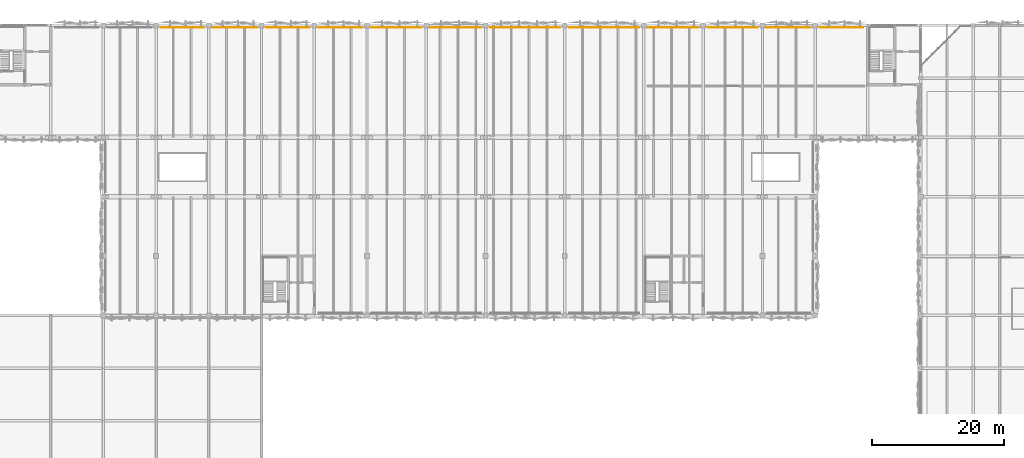
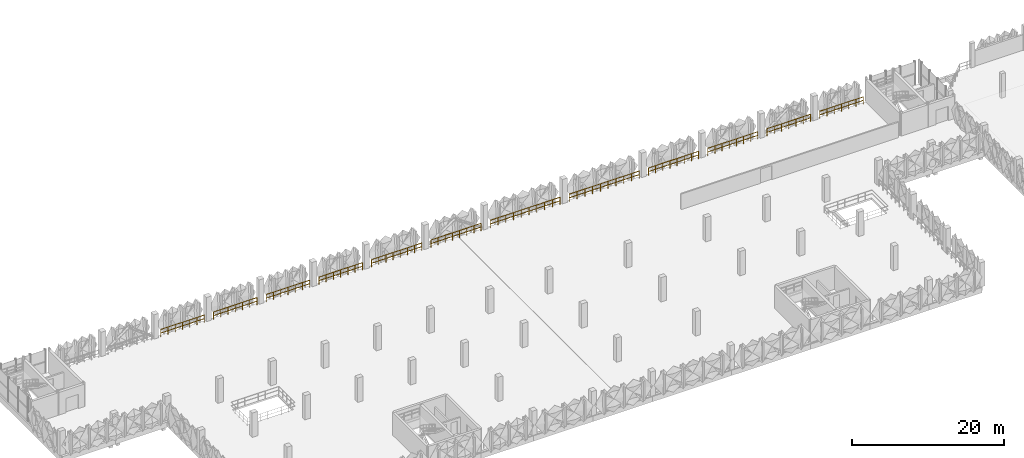
# One storey, part 75 of 76: 12 railings.
"""IFC4 building model written with IfcOpenShell, lengths in metres."""

from ifc_helpers import new_model, si_unit, derived_unit, direction, frame, origin, origin_2d, place, context, subcontext, project, spatial, circle, extrude, material, type_object, element, save


model = new_model("IFC4")

# Units and contexts
model_context = context("Model", 3, precision=1e-05, world=origin(), true_north=direction((0.0, 1.0)))
body_context = subcontext(model_context, "Body", "Model", "MODEL_VIEW")
ifc_project = project(units=[si_unit("LENGTHUNIT", "METRE"), si_unit("AREAUNIT", "SQUARE_METRE"), si_unit("VOLUMEUNIT", "CUBIC_METRE"), si_unit("PLANEANGLEUNIT", "RADIAN"), si_unit("MASSUNIT", "GRAM", prefix="KILO"), si_unit("THERMODYNAMICTEMPERATUREUNIT", "KELVIN"), derived_unit("THERMALTRANSMITTANCEUNIT", [(si_unit("POWERUNIT", "WATT"), 1), (si_unit("AREAUNIT", "SQUARE_METRE"), -1), (si_unit("THERMODYNAMICTEMPERATUREUNIT", "KELVIN"), -1)])], contexts=[model_context])

# Site, building, storey
site_placement = place(None, origin())
site = spatial("IfcSite", under=ifc_project, at=site_placement, CompositionType="ELEMENT")
building_placement = place(site_placement, origin())
building = spatial("IfcBuilding", under=site, at=building_placement, Name="Haiyu Intermodal Mobility Hub", CompositionType="ELEMENT")
storey_placement = place(building_placement, frame((0.0, 0.0, 17.300048828125)))
storey = spatial("IfcBuildingStorey", under=building, at=storey_placement, Name="L04", CompositionType="ELEMENT", Elevation=17.300048828125)

# Railings
ifc_material = material(Name="Steel Q355C", Category="steel")
railing_type = type_object("IfcRailingType", Name="RAL-GR01", PredefinedType="GUARDRAIL", material=ifc_material)
railing_1_placement = place(storey_placement, frame((53.300048828125, 147.659912109375, 0.0)))
element("IfcRailing", 1, at=railing_1_placement, inside=storey, type_object=railing_type, Name="RAL-CAR-N-0023", PredefinedType="GUARDRAIL", context=body_context, shape_type="SweptSolid", body=[
    extrude(circle(Radius=0.02392578125, at=origin_2d()), frame((-0.030029296875, 0.0, 1.17578125), z_axis=(-1.0, 0.0, 0.0), x_axis=(0.0, -1.0, 0.0)), (0.0, 0.0, 1.0), 6.5400390625),
    extrude(circle(Radius=0.02392578125, at=origin_2d()), frame((-0.037353515625, 0.0, 0.60009765625), z_axis=(-1.0, 0.0, 0.0), x_axis=(0.0, -1.0, 0.0)), (0.0, 0.0, 1.0), 1.025390625),
    extrude(circle(Radius=0.02392578125, at=origin_2d()), frame((-1.13720703125, 0.0, 0.60009765625), z_axis=(-1.0, 0.0, 0.0), x_axis=(0.0, -1.0, 0.0)), (0.0, 0.0, 1.0), 1.025390625),
    extrude(circle(Radius=0.02392578125, at=origin_2d()), frame((-2.2373046875, 0.0, 0.60009765625), z_axis=(-1.0, 0.0, 0.0), x_axis=(0.0, -1.0, 0.0)), (0.0, 0.0, 1.0), 1.025390625),
    extrude(circle(Radius=0.02392578125, at=origin_2d()), frame((-3.33740234375, 0.0, 0.60009765625), z_axis=(-1.0, 0.0, 0.0), x_axis=(0.0, -1.0, 0.0)), (0.0, 0.0, 1.0), 1.025390625),
    extrude(circle(Radius=0.02392578125, at=origin_2d()), frame((-4.437255859375, 0.0, 0.60009765625), z_axis=(-1.0, 0.0, 0.0), x_axis=(0.0, -1.0, 0.0)), (0.0, 0.0, 1.0), 1.025390625),
    extrude(circle(Radius=0.02392578125, at=origin_2d()), frame((-5.537353515625, 0.0, 0.60009765625), z_axis=(-1.0, 0.0, 0.0), x_axis=(0.0, -1.0, 0.0)), (0.0, 0.0, 1.0), 1.025390625),
    extrude(circle(Radius=0.02099609375, at=origin_2d()), origin(), (0.0, 0.0, 1.0), 1.143798828125),
    extrude(circle(Radius=0.02099609375, at=origin_2d()), frame((-1.10009765625, 0.0, 0.0)), (0.0, 0.0, 1.0), 1.143798828125),
    extrude(circle(Radius=0.02099609375, at=origin_2d()), frame((-2.199951171875, 0.0, 0.0)), (0.0, 0.0, 1.0), 1.143798828125),
    extrude(circle(Radius=0.02099609375, at=origin_2d()), frame((-3.300048828125, 0.0, 0.0)), (0.0, 0.0, 1.0), 1.143798828125),
    extrude(circle(Radius=0.02099609375, at=origin_2d()), frame((-4.400146484375, 0.0, 0.0)), (0.0, 0.0, 1.0), 1.143798828125),
    extrude(circle(Radius=0.02099609375, at=origin_2d()), frame((-5.5, 0.0, 0.0)), (0.0, 0.0, 1.0), 1.143798828125),
    extrude(circle(Radius=0.02099609375, at=origin_2d()), frame((-6.60009765625, 0.0, 0.0)), (0.0, 0.0, 1.0), 1.143798828125),
])
railing_2_placement = place(storey_placement, frame((61.300048828125, 147.659912109375, 0.0)))
element("IfcRailing", 2, at=railing_2_placement, inside=storey, type_object=railing_type, Name="RAL-CAR-N-0028", PredefinedType="GUARDRAIL", context=body_context, shape_type="SweptSolid", body=[
    extrude(circle(Radius=0.02392578125, at=origin_2d()), frame((-0.030029296875, 0.0, 1.17578125), z_axis=(-1.0, 0.0, 0.0), x_axis=(0.0, -1.0, 0.0)), (0.0, 0.0, 1.0), 6.5400390625),
    extrude(circle(Radius=0.02392578125, at=origin_2d()), frame((-0.037353515625, 0.0, 0.60009765625), z_axis=(-1.0, 0.0, 0.0), x_axis=(0.0, -1.0, 0.0)), (0.0, 0.0, 1.0), 1.025390625),
    extrude(circle(Radius=0.02392578125, at=origin_2d()), frame((-1.13720703125, 0.0, 0.60009765625), z_axis=(-1.0, 0.0, 0.0), x_axis=(0.0, -1.0, 0.0)), (0.0, 0.0, 1.0), 1.025390625),
    extrude(circle(Radius=0.02392578125, at=origin_2d()), frame((-2.2373046875, 0.0, 0.60009765625), z_axis=(-1.0, 0.0, 0.0), x_axis=(0.0, -1.0, 0.0)), (0.0, 0.0, 1.0), 1.025390625),
    extrude(circle(Radius=0.02392578125, at=origin_2d()), frame((-3.33740234375, 0.0, 0.60009765625), z_axis=(-1.0, 0.0, 0.0), x_axis=(0.0, -1.0, 0.0)), (0.0, 0.0, 1.0), 1.025390625),
    extrude(circle(Radius=0.02392578125, at=origin_2d()), frame((-4.437255859375, 0.0, 0.60009765625), z_axis=(-1.0, 0.0, 0.0), x_axis=(0.0, -1.0, 0.0)), (0.0, 0.0, 1.0), 1.025390625),
    extrude(circle(Radius=0.02392578125, at=origin_2d()), frame((-5.537353515625, 0.0, 0.60009765625), z_axis=(-1.0, 0.0, 0.0), x_axis=(0.0, -1.0, 0.0)), (0.0, 0.0, 1.0), 1.025390625),
    extrude(circle(Radius=0.02099609375, at=origin_2d()), origin(), (0.0, 0.0, 1.0), 1.143798828125),
    extrude(circle(Radius=0.02099609375, at=origin_2d()), frame((-1.10009765625, 0.0, 0.0)), (0.0, 0.0, 1.0), 1.143798828125),
    extrude(circle(Radius=0.02099609375, at=origin_2d()), frame((-2.199951171875, 0.0, 0.0)), (0.0, 0.0, 1.0), 1.143798828125),
    extrude(circle(Radius=0.02099609375, at=origin_2d()), frame((-3.300048828125, 0.0, 0.0)), (0.0, 0.0, 1.0), 1.143798828125),
    extrude(circle(Radius=0.02099609375, at=origin_2d()), frame((-4.400146484375, 0.0, 0.0)), (0.0, 0.0, 1.0), 1.143798828125),
    extrude(circle(Radius=0.02099609375, at=origin_2d()), frame((-5.5, 0.0, 0.0)), (0.0, 0.0, 1.0), 1.143798828125),
    extrude(circle(Radius=0.02099609375, at=origin_2d()), frame((-6.60009765625, 0.0, 0.0)), (0.0, 0.0, 1.0), 1.143798828125),
])
railing_3_placement = place(storey_placement, frame((69.300048828125, 147.659912109375, 0.0)))
element("IfcRailing", 3, at=railing_3_placement, inside=storey, type_object=railing_type, Name="RAL-CAR-N-0033", PredefinedType="GUARDRAIL", context=body_context, shape_type="SweptSolid", body=[
    extrude(circle(Radius=0.02392578125, at=origin_2d()), frame((-0.030029296875, 0.0, 1.17578125), z_axis=(-1.0, 0.0, 0.0), x_axis=(0.0, -1.0, 0.0)), (0.0, 0.0, 1.0), 6.5400390625),
    extrude(circle(Radius=0.02392578125, at=origin_2d()), frame((-0.037353515625, 0.0, 0.60009765625), z_axis=(-1.0, 0.0, 0.0), x_axis=(0.0, -1.0, 0.0)), (0.0, 0.0, 1.0), 1.025390625),
    extrude(circle(Radius=0.02392578125, at=origin_2d()), frame((-1.13720703125, 0.0, 0.60009765625), z_axis=(-1.0, 0.0, 0.0), x_axis=(0.0, -1.0, 0.0)), (0.0, 0.0, 1.0), 1.025390625),
    extrude(circle(Radius=0.02392578125, at=origin_2d()), frame((-2.2373046875, 0.0, 0.60009765625), z_axis=(-1.0, 0.0, 0.0), x_axis=(0.0, -1.0, 0.0)), (0.0, 0.0, 1.0), 1.025390625),
    extrude(circle(Radius=0.02392578125, at=origin_2d()), frame((-3.33740234375, 0.0, 0.60009765625), z_axis=(-1.0, 0.0, 0.0), x_axis=(0.0, -1.0, 0.0)), (0.0, 0.0, 1.0), 1.025390625),
    extrude(circle(Radius=0.02392578125, at=origin_2d()), frame((-4.437255859375, 0.0, 0.60009765625), z_axis=(-1.0, 0.0, 0.0), x_axis=(0.0, -1.0, 0.0)), (0.0, 0.0, 1.0), 1.025390625),
    extrude(circle(Radius=0.02392578125, at=origin_2d()), frame((-5.537353515625, 0.0, 0.60009765625), z_axis=(-1.0, 0.0, 0.0), x_axis=(0.0, -1.0, 0.0)), (0.0, 0.0, 1.0), 1.025390625),
    extrude(circle(Radius=0.02099609375, at=origin_2d()), origin(), (0.0, 0.0, 1.0), 1.143798828125),
    extrude(circle(Radius=0.02099609375, at=origin_2d()), frame((-1.10009765625, 0.0, 0.0)), (0.0, 0.0, 1.0), 1.143798828125),
    extrude(circle(Radius=0.02099609375, at=origin_2d()), frame((-2.199951171875, 0.0, 0.0)), (0.0, 0.0, 1.0), 1.143798828125),
    extrude(circle(Radius=0.02099609375, at=origin_2d()), frame((-3.300048828125, 0.0, 0.0)), (0.0, 0.0, 1.0), 1.143798828125),
    extrude(circle(Radius=0.02099609375, at=origin_2d()), frame((-4.400146484375, 0.0, 0.0)), (0.0, 0.0, 1.0), 1.143798828125),
    extrude(circle(Radius=0.02099609375, at=origin_2d()), frame((-5.5, 0.0, 0.0)), (0.0, 0.0, 1.0), 1.143798828125),
    extrude(circle(Radius=0.02099609375, at=origin_2d()), frame((-6.60009765625, 0.0, 0.0)), (0.0, 0.0, 1.0), 1.143798828125),
])
railing_4_placement = place(storey_placement, frame((77.300048828125, 147.659912109375, 0.0)))
element("IfcRailing", 4, at=railing_4_placement, inside=storey, type_object=railing_type, Name="RAL-CAR-N-0039", PredefinedType="GUARDRAIL", context=body_context, shape_type="SweptSolid", body=[
    extrude(circle(Radius=0.02392578125, at=origin_2d()), frame((-0.030029296875, 0.0, 1.17578125), z_axis=(-1.0, 0.0, 0.0), x_axis=(0.0, -1.0, 0.0)), (0.0, 0.0, 1.0), 6.5400390625),
    extrude(circle(Radius=0.02392578125, at=origin_2d()), frame((-0.037353515625, 0.0, 0.60009765625), z_axis=(-1.0, 0.0, 0.0), x_axis=(0.0, -1.0, 0.0)), (0.0, 0.0, 1.0), 1.025390625),
    extrude(circle(Radius=0.02392578125, at=origin_2d()), frame((-1.13720703125, 0.0, 0.60009765625), z_axis=(-1.0, 0.0, 0.0), x_axis=(0.0, -1.0, 0.0)), (0.0, 0.0, 1.0), 1.025390625),
    extrude(circle(Radius=0.02392578125, at=origin_2d()), frame((-2.2373046875, 0.0, 0.60009765625), z_axis=(-1.0, 0.0, 0.0), x_axis=(0.0, -1.0, 0.0)), (0.0, 0.0, 1.0), 1.025390625),
    extrude(circle(Radius=0.02392578125, at=origin_2d()), frame((-3.33740234375, 0.0, 0.60009765625), z_axis=(-1.0, 0.0, 0.0), x_axis=(0.0, -1.0, 0.0)), (0.0, 0.0, 1.0), 1.025390625),
    extrude(circle(Radius=0.02392578125, at=origin_2d()), frame((-4.437255859375, 0.0, 0.60009765625), z_axis=(-1.0, 0.0, 0.0), x_axis=(0.0, -1.0, 0.0)), (0.0, 0.0, 1.0), 1.025390625),
    extrude(circle(Radius=0.02392578125, at=origin_2d()), frame((-5.537353515625, 0.0, 0.60009765625), z_axis=(-1.0, 0.0, 0.0), x_axis=(0.0, -1.0, 0.0)), (0.0, 0.0, 1.0), 1.025390625),
    extrude(circle(Radius=0.02099609375, at=origin_2d()), origin(), (0.0, 0.0, 1.0), 1.143798828125),
    extrude(circle(Radius=0.02099609375, at=origin_2d()), frame((-1.10009765625, 0.0, 0.0)), (0.0, 0.0, 1.0), 1.143798828125),
    extrude(circle(Radius=0.02099609375, at=origin_2d()), frame((-2.199951171875, 0.0, 0.0)), (0.0, 0.0, 1.0), 1.143798828125),
    extrude(circle(Radius=0.02099609375, at=origin_2d()), frame((-3.300048828125, 0.0, 0.0)), (0.0, 0.0, 1.0), 1.143798828125),
    extrude(circle(Radius=0.02099609375, at=origin_2d()), frame((-4.400146484375, 0.0, 0.0)), (0.0, 0.0, 1.0), 1.143798828125),
    extrude(circle(Radius=0.02099609375, at=origin_2d()), frame((-5.5, 0.0, 0.0)), (0.0, 0.0, 1.0), 1.143798828125),
    extrude(circle(Radius=0.02099609375, at=origin_2d()), frame((-6.60009765625, 0.0, 0.0)), (0.0, 0.0, 1.0), 1.143798828125),
])
railing_5_placement = place(storey_placement, frame((86.300048828125, 147.659912109375, 0.0)))
element("IfcRailing", 5, at=railing_5_placement, inside=storey, type_object=railing_type, Name="RAL-CAR-N-0044", PredefinedType="GUARDRAIL", context=body_context, shape_type="SweptSolid", body=[
    extrude(circle(Radius=0.02392578125, at=origin_2d()), frame((-0.030029296875, 0.0, 1.17578125), z_axis=(-1.0, 0.0, 0.0), x_axis=(0.0, -1.0, 0.0)), (0.0, 0.0, 1.0), 7.5400390625),
    extrude(circle(Radius=0.02392578125, at=origin_2d()), frame((-0.037353515625, 0.0, 0.60009765625), z_axis=(-1.0, 0.0, 0.0), x_axis=(0.0, -1.0, 0.0)), (0.0, 0.0, 1.0), 1.01123046875),
    extrude(circle(Radius=0.02392578125, at=origin_2d()), frame((-1.123046875, 0.0, 0.60009765625), z_axis=(-1.0, 0.0, 0.0), x_axis=(0.0, -1.0, 0.0)), (0.0, 0.0, 1.0), 1.01123046875),
    extrude(circle(Radius=0.02392578125, at=origin_2d()), frame((-2.208740234375, 0.0, 0.60009765625), z_axis=(-1.0, 0.0, 0.0), x_axis=(0.0, -1.0, 0.0)), (0.0, 0.0, 1.0), 1.01123046875),
    extrude(circle(Radius=0.02392578125, at=origin_2d()), frame((-3.29443359375, 0.0, 0.60009765625), z_axis=(-1.0, 0.0, 0.0), x_axis=(0.0, -1.0, 0.0)), (0.0, 0.0, 1.0), 1.01123046875),
    extrude(circle(Radius=0.02392578125, at=origin_2d()), frame((-4.380126953125, 0.0, 0.60009765625), z_axis=(-1.0, 0.0, 0.0), x_axis=(0.0, -1.0, 0.0)), (0.0, 0.0, 1.0), 1.01123046875),
    extrude(circle(Radius=0.02392578125, at=origin_2d()), frame((-5.4658203125, 0.0, 0.60009765625), z_axis=(-1.0, 0.0, 0.0), x_axis=(0.0, -1.0, 0.0)), (0.0, 0.0, 1.0), 1.01123046875),
    extrude(circle(Radius=0.02392578125, at=origin_2d()), frame((-6.5517578125, 0.0, 0.60009765625), z_axis=(-1.0, 0.0, 0.0), x_axis=(0.0, -1.0, 0.0)), (0.0, 0.0, 1.0), 1.01123046875),
    extrude(circle(Radius=0.02099609375, at=origin_2d()), origin(), (0.0, 0.0, 1.0), 1.143798828125),
    extrude(circle(Radius=0.02099609375, at=origin_2d()), frame((-1.085693359375, 0.0, 0.0)), (0.0, 0.0, 1.0), 1.143798828125),
    extrude(circle(Radius=0.02099609375, at=origin_2d()), frame((-2.17138671875, 0.0, 0.0)), (0.0, 0.0, 1.0), 1.143798828125),
    extrude(circle(Radius=0.02099609375, at=origin_2d()), frame((-3.257080078125, 0.0, 0.0)), (0.0, 0.0, 1.0), 1.143798828125),
    extrude(circle(Radius=0.02099609375, at=origin_2d()), frame((-4.343017578125, 0.0, 0.0)), (0.0, 0.0, 1.0), 1.143798828125),
    extrude(circle(Radius=0.02099609375, at=origin_2d()), frame((-5.4287109375, 0.0, 0.0)), (0.0, 0.0, 1.0), 1.143798828125),
    extrude(circle(Radius=0.02099609375, at=origin_2d()), frame((-6.514404296875, 0.0, 0.0)), (0.0, 0.0, 1.0), 1.143798828125),
    extrude(circle(Radius=0.02099609375, at=origin_2d()), frame((-7.60009765625, 0.0, 0.0)), (0.0, 0.0, 1.0), 1.143798828125),
])
railing_6_placement = place(storey_placement, frame((95.300048828125, 147.659912109375, 0.0)))
element("IfcRailing", 6, at=railing_6_placement, inside=storey, type_object=railing_type, Name="RAL-CAR-N-0049", PredefinedType="GUARDRAIL", context=body_context, shape_type="SweptSolid", body=[
    extrude(circle(Radius=0.02392578125, at=origin_2d()), frame((-0.030029296875, 0.0, 1.17578125), z_axis=(-1.0, 0.0, 0.0), x_axis=(0.0, -1.0, 0.0)), (0.0, 0.0, 1.0), 7.5400390625),
    extrude(circle(Radius=0.02392578125, at=origin_2d()), frame((-0.037353515625, 0.0, 0.60009765625), z_axis=(-1.0, 0.0, 0.0), x_axis=(0.0, -1.0, 0.0)), (0.0, 0.0, 1.0), 1.01123046875),
    extrude(circle(Radius=0.02392578125, at=origin_2d()), frame((-1.123046875, 0.0, 0.60009765625), z_axis=(-1.0, 0.0, 0.0), x_axis=(0.0, -1.0, 0.0)), (0.0, 0.0, 1.0), 1.01123046875),
    extrude(circle(Radius=0.02392578125, at=origin_2d()), frame((-2.208740234375, 0.0, 0.60009765625), z_axis=(-1.0, 0.0, 0.0), x_axis=(0.0, -1.0, 0.0)), (0.0, 0.0, 1.0), 1.01123046875),
    extrude(circle(Radius=0.02392578125, at=origin_2d()), frame((-3.29443359375, 0.0, 0.60009765625), z_axis=(-1.0, 0.0, 0.0), x_axis=(0.0, -1.0, 0.0)), (0.0, 0.0, 1.0), 1.01123046875),
    extrude(circle(Radius=0.02392578125, at=origin_2d()), frame((-4.380126953125, 0.0, 0.60009765625), z_axis=(-1.0, 0.0, 0.0), x_axis=(0.0, -1.0, 0.0)), (0.0, 0.0, 1.0), 1.01123046875),
    extrude(circle(Radius=0.02392578125, at=origin_2d()), frame((-5.4658203125, 0.0, 0.60009765625), z_axis=(-1.0, 0.0, 0.0), x_axis=(0.0, -1.0, 0.0)), (0.0, 0.0, 1.0), 1.01123046875),
    extrude(circle(Radius=0.02392578125, at=origin_2d()), frame((-6.5517578125, 0.0, 0.60009765625), z_axis=(-1.0, 0.0, 0.0), x_axis=(0.0, -1.0, 0.0)), (0.0, 0.0, 1.0), 1.01123046875),
    extrude(circle(Radius=0.02099609375, at=origin_2d()), origin(), (0.0, 0.0, 1.0), 1.143798828125),
    extrude(circle(Radius=0.02099609375, at=origin_2d()), frame((-1.085693359375, 0.0, 0.0)), (0.0, 0.0, 1.0), 1.143798828125),
    extrude(circle(Radius=0.02099609375, at=origin_2d()), frame((-2.17138671875, 0.0, 0.0)), (0.0, 0.0, 1.0), 1.143798828125),
    extrude(circle(Radius=0.02099609375, at=origin_2d()), frame((-3.257080078125, 0.0, 0.0)), (0.0, 0.0, 1.0), 1.143798828125),
    extrude(circle(Radius=0.02099609375, at=origin_2d()), frame((-4.343017578125, 0.0, 0.0)), (0.0, 0.0, 1.0), 1.143798828125),
    extrude(circle(Radius=0.02099609375, at=origin_2d()), frame((-5.4287109375, 0.0, 0.0)), (0.0, 0.0, 1.0), 1.143798828125),
    extrude(circle(Radius=0.02099609375, at=origin_2d()), frame((-6.514404296875, 0.0, 0.0)), (0.0, 0.0, 1.0), 1.143798828125),
    extrude(circle(Radius=0.02099609375, at=origin_2d()), frame((-7.60009765625, 0.0, 0.0)), (0.0, 0.0, 1.0), 1.143798828125),
])
railing_7_placement = place(storey_placement, frame((107.300048828125, 147.659912109375, 0.0)))
element("IfcRailing", 7, at=railing_7_placement, inside=storey, type_object=railing_type, Name="RAL-CAR-N-0054", PredefinedType="GUARDRAIL", context=body_context, shape_type="SweptSolid", body=[
    extrude(circle(Radius=0.02392578125, at=origin_2d()), frame((-0.030029296875, 0.0, 1.17578125), z_axis=(-1.0, 0.0, 0.0), x_axis=(0.0, -1.0, 0.0)), (0.0, 0.0, 1.0), 10.5400390625),
    extrude(circle(Radius=0.02392578125, at=origin_2d()), frame((-0.037353515625, 0.0, 0.60009765625), z_axis=(-1.0, 0.0, 0.0), x_axis=(0.0, -1.0, 0.0)), (0.0, 0.0, 1.0), 1.103271484375),
    extrude(circle(Radius=0.02392578125, at=origin_2d()), frame((-1.215087890625, 0.0, 0.60009765625), z_axis=(-1.0, 0.0, 0.0), x_axis=(0.0, -1.0, 0.0)), (0.0, 0.0, 1.0), 1.103271484375),
    extrude(circle(Radius=0.02392578125, at=origin_2d()), frame((-2.392822265625, 0.0, 0.60009765625), z_axis=(-1.0, 0.0, 0.0), x_axis=(0.0, -1.0, 0.0)), (0.0, 0.0, 1.0), 1.103271484375),
    extrude(circle(Radius=0.02392578125, at=origin_2d()), frame((-3.570556640625, 0.0, 0.60009765625), z_axis=(-1.0, 0.0, 0.0), x_axis=(0.0, -1.0, 0.0)), (0.0, 0.0, 1.0), 1.103271484375),
    extrude(circle(Radius=0.02392578125, at=origin_2d()), frame((-4.74853515625, 0.0, 0.60009765625), z_axis=(-1.0, 0.0, 0.0), x_axis=(0.0, -1.0, 0.0)), (0.0, 0.0, 1.0), 1.103271484375),
    extrude(circle(Radius=0.02392578125, at=origin_2d()), frame((-5.92626953125, 0.0, 0.60009765625), z_axis=(-1.0, 0.0, 0.0), x_axis=(0.0, -1.0, 0.0)), (0.0, 0.0, 1.0), 1.103271484375),
    extrude(circle(Radius=0.02392578125, at=origin_2d()), frame((-7.10400390625, 0.0, 0.60009765625), z_axis=(-1.0, 0.0, 0.0), x_axis=(0.0, -1.0, 0.0)), (0.0, 0.0, 1.0), 1.103271484375),
    extrude(circle(Radius=0.02392578125, at=origin_2d()), frame((-8.28173828125, 0.0, 0.60009765625), z_axis=(-1.0, 0.0, 0.0), x_axis=(0.0, -1.0, 0.0)), (0.0, 0.0, 1.0), 1.103271484375),
    extrude(circle(Radius=0.02392578125, at=origin_2d()), frame((-9.459716796875, 0.0, 0.60009765625), z_axis=(-1.0, 0.0, 0.0), x_axis=(0.0, -1.0, 0.0)), (0.0, 0.0, 1.0), 1.103271484375),
    extrude(circle(Radius=0.02099609375, at=origin_2d()), origin(), (0.0, 0.0, 1.0), 1.143798828125),
    extrude(circle(Radius=0.02099609375, at=origin_2d()), frame((-1.177734375, 0.0, 0.0)), (0.0, 0.0, 1.0), 1.143798828125),
    extrude(circle(Radius=0.02099609375, at=origin_2d()), frame((-2.35546875, 0.0, 0.0)), (0.0, 0.0, 1.0), 1.143798828125),
    extrude(circle(Radius=0.02099609375, at=origin_2d()), frame((-3.533447265625, 0.0, 0.0)), (0.0, 0.0, 1.0), 1.143798828125),
    extrude(circle(Radius=0.02099609375, at=origin_2d()), frame((-4.711181640625, 0.0, 0.0)), (0.0, 0.0, 1.0), 1.143798828125),
    extrude(circle(Radius=0.02099609375, at=origin_2d()), frame((-5.888916015625, 0.0, 0.0)), (0.0, 0.0, 1.0), 1.143798828125),
    extrude(circle(Radius=0.02099609375, at=origin_2d()), frame((-7.066650390625, 0.0, 0.0)), (0.0, 0.0, 1.0), 1.143798828125),
    extrude(circle(Radius=0.02099609375, at=origin_2d()), frame((-8.24462890625, 0.0, 0.0)), (0.0, 0.0, 1.0), 1.143798828125),
    extrude(circle(Radius=0.02099609375, at=origin_2d()), frame((-9.42236328125, 0.0, 0.0)), (0.0, 0.0, 1.0), 1.143798828125),
    extrude(circle(Radius=0.02099609375, at=origin_2d()), frame((-10.60009765625, 0.0, 0.0)), (0.0, 0.0, 1.0), 1.143798828125),
])
railing_8_placement = place(storey_placement, frame((119.300048828125, 147.659912109375, 0.0)))
element("IfcRailing", 8, at=railing_8_placement, inside=storey, type_object=railing_type, Name="RAL-CAR-N-0059", PredefinedType="GUARDRAIL", context=body_context, shape_type="SweptSolid", body=[
    extrude(circle(Radius=0.02392578125, at=origin_2d()), frame((-0.030029296875, 0.0, 1.17578125), z_axis=(-1.0, 0.0, 0.0), x_axis=(0.0, -1.0, 0.0)), (0.0, 0.0, 1.0), 10.5400390625),
    extrude(circle(Radius=0.02392578125, at=origin_2d()), frame((-0.037353515625, 0.0, 0.60009765625), z_axis=(-1.0, 0.0, 0.0), x_axis=(0.0, -1.0, 0.0)), (0.0, 0.0, 1.0), 1.103271484375),
    extrude(circle(Radius=0.02392578125, at=origin_2d()), frame((-1.215087890625, 0.0, 0.60009765625), z_axis=(-1.0, 0.0, 0.0), x_axis=(0.0, -1.0, 0.0)), (0.0, 0.0, 1.0), 1.103271484375),
    extrude(circle(Radius=0.02392578125, at=origin_2d()), frame((-2.392822265625, 0.0, 0.60009765625), z_axis=(-1.0, 0.0, 0.0), x_axis=(0.0, -1.0, 0.0)), (0.0, 0.0, 1.0), 1.103271484375),
    extrude(circle(Radius=0.02392578125, at=origin_2d()), frame((-3.570556640625, 0.0, 0.60009765625), z_axis=(-1.0, 0.0, 0.0), x_axis=(0.0, -1.0, 0.0)), (0.0, 0.0, 1.0), 1.103271484375),
    extrude(circle(Radius=0.02392578125, at=origin_2d()), frame((-4.74853515625, 0.0, 0.60009765625), z_axis=(-1.0, 0.0, 0.0), x_axis=(0.0, -1.0, 0.0)), (0.0, 0.0, 1.0), 1.103271484375),
    extrude(circle(Radius=0.02392578125, at=origin_2d()), frame((-5.92626953125, 0.0, 0.60009765625), z_axis=(-1.0, 0.0, 0.0), x_axis=(0.0, -1.0, 0.0)), (0.0, 0.0, 1.0), 1.103271484375),
    extrude(circle(Radius=0.02392578125, at=origin_2d()), frame((-7.10400390625, 0.0, 0.60009765625), z_axis=(-1.0, 0.0, 0.0), x_axis=(0.0, -1.0, 0.0)), (0.0, 0.0, 1.0), 1.103271484375),
    extrude(circle(Radius=0.02392578125, at=origin_2d()), frame((-8.28173828125, 0.0, 0.60009765625), z_axis=(-1.0, 0.0, 0.0), x_axis=(0.0, -1.0, 0.0)), (0.0, 0.0, 1.0), 1.103271484375),
    extrude(circle(Radius=0.02392578125, at=origin_2d()), frame((-9.459716796875, 0.0, 0.60009765625), z_axis=(-1.0, 0.0, 0.0), x_axis=(0.0, -1.0, 0.0)), (0.0, 0.0, 1.0), 1.103271484375),
    extrude(circle(Radius=0.02099609375, at=origin_2d()), origin(), (0.0, 0.0, 1.0), 1.143798828125),
    extrude(circle(Radius=0.02099609375, at=origin_2d()), frame((-1.177734375, 0.0, 0.0)), (0.0, 0.0, 1.0), 1.143798828125),
    extrude(circle(Radius=0.02099609375, at=origin_2d()), frame((-2.35546875, 0.0, 0.0)), (0.0, 0.0, 1.0), 1.143798828125),
    extrude(circle(Radius=0.02099609375, at=origin_2d()), frame((-3.533447265625, 0.0, 0.0)), (0.0, 0.0, 1.0), 1.143798828125),
    extrude(circle(Radius=0.02099609375, at=origin_2d()), frame((-4.711181640625, 0.0, 0.0)), (0.0, 0.0, 1.0), 1.143798828125),
    extrude(circle(Radius=0.02099609375, at=origin_2d()), frame((-5.888916015625, 0.0, 0.0)), (0.0, 0.0, 1.0), 1.143798828125),
    extrude(circle(Radius=0.02099609375, at=origin_2d()), frame((-7.066650390625, 0.0, 0.0)), (0.0, 0.0, 1.0), 1.143798828125),
    extrude(circle(Radius=0.02099609375, at=origin_2d()), frame((-8.24462890625, 0.0, 0.0)), (0.0, 0.0, 1.0), 1.143798828125),
    extrude(circle(Radius=0.02099609375, at=origin_2d()), frame((-9.42236328125, 0.0, 0.0)), (0.0, 0.0, 1.0), 1.143798828125),
    extrude(circle(Radius=0.02099609375, at=origin_2d()), frame((-10.60009765625, 0.0, 0.0)), (0.0, 0.0, 1.0), 1.143798828125),
])
railing_9_placement = place(storey_placement, frame((128.300048828125, 147.659912109375, 0.0)))
element("IfcRailing", 9, at=railing_9_placement, inside=storey, type_object=railing_type, Name="RAL-CAR-N-0064", PredefinedType="GUARDRAIL", context=body_context, shape_type="SweptSolid", body=[
    extrude(circle(Radius=0.02392578125, at=origin_2d()), frame((-0.030029296875, 0.0, 1.17578125), z_axis=(-1.0, 0.0, 0.0), x_axis=(0.0, -1.0, 0.0)), (0.0, 0.0, 1.0), 7.5400390625),
    extrude(circle(Radius=0.02392578125, at=origin_2d()), frame((-0.037353515625, 0.0, 0.60009765625), z_axis=(-1.0, 0.0, 0.0), x_axis=(0.0, -1.0, 0.0)), (0.0, 0.0, 1.0), 1.01123046875),
    extrude(circle(Radius=0.02392578125, at=origin_2d()), frame((-1.123046875, 0.0, 0.60009765625), z_axis=(-1.0, 0.0, 0.0), x_axis=(0.0, -1.0, 0.0)), (0.0, 0.0, 1.0), 1.01123046875),
    extrude(circle(Radius=0.02392578125, at=origin_2d()), frame((-2.208740234375, 0.0, 0.60009765625), z_axis=(-1.0, 0.0, 0.0), x_axis=(0.0, -1.0, 0.0)), (0.0, 0.0, 1.0), 1.01123046875),
    extrude(circle(Radius=0.02392578125, at=origin_2d()), frame((-3.29443359375, 0.0, 0.60009765625), z_axis=(-1.0, 0.0, 0.0), x_axis=(0.0, -1.0, 0.0)), (0.0, 0.0, 1.0), 1.01123046875),
    extrude(circle(Radius=0.02392578125, at=origin_2d()), frame((-4.380126953125, 0.0, 0.60009765625), z_axis=(-1.0, 0.0, 0.0), x_axis=(0.0, -1.0, 0.0)), (0.0, 0.0, 1.0), 1.01123046875),
    extrude(circle(Radius=0.02392578125, at=origin_2d()), frame((-5.4658203125, 0.0, 0.60009765625), z_axis=(-1.0, 0.0, 0.0), x_axis=(0.0, -1.0, 0.0)), (0.0, 0.0, 1.0), 1.01123046875),
    extrude(circle(Radius=0.02392578125, at=origin_2d()), frame((-6.5517578125, 0.0, 0.60009765625), z_axis=(-1.0, 0.0, 0.0), x_axis=(0.0, -1.0, 0.0)), (0.0, 0.0, 1.0), 1.01123046875),
    extrude(circle(Radius=0.02099609375, at=origin_2d()), origin(), (0.0, 0.0, 1.0), 1.143798828125),
    extrude(circle(Radius=0.02099609375, at=origin_2d()), frame((-1.085693359375, 0.0, 0.0)), (0.0, 0.0, 1.0), 1.143798828125),
    extrude(circle(Radius=0.02099609375, at=origin_2d()), frame((-2.17138671875, 0.0, 0.0)), (0.0, 0.0, 1.0), 1.143798828125),
    extrude(circle(Radius=0.02099609375, at=origin_2d()), frame((-3.257080078125, 0.0, 0.0)), (0.0, 0.0, 1.0), 1.143798828125),
    extrude(circle(Radius=0.02099609375, at=origin_2d()), frame((-4.343017578125, 0.0, 0.0)), (0.0, 0.0, 1.0), 1.143798828125),
    extrude(circle(Radius=0.02099609375, at=origin_2d()), frame((-5.4287109375, 0.0, 0.0)), (0.0, 0.0, 1.0), 1.143798828125),
    extrude(circle(Radius=0.02099609375, at=origin_2d()), frame((-6.514404296875, 0.0, 0.0)), (0.0, 0.0, 1.0), 1.143798828125),
    extrude(circle(Radius=0.02099609375, at=origin_2d()), frame((-7.60009765625, 0.0, 0.0)), (0.0, 0.0, 1.0), 1.143798828125),
])
railing_10_placement = place(storey_placement, frame((137.300048828125, 147.659912109375, 0.0)))
element("IfcRailing", 10, at=railing_10_placement, inside=storey, type_object=railing_type, Name="RAL-CAR-N-0070", PredefinedType="GUARDRAIL", context=body_context, shape_type="SweptSolid", body=[
    extrude(circle(Radius=0.02392578125, at=origin_2d()), frame((-0.030029296875, 0.0, 1.17578125), z_axis=(-1.0, 0.0, 0.0), x_axis=(0.0, -1.0, 0.0)), (0.0, 0.0, 1.0), 7.5400390625),
    extrude(circle(Radius=0.02392578125, at=origin_2d()), frame((-0.037353515625, 0.0, 0.60009765625), z_axis=(-1.0, 0.0, 0.0), x_axis=(0.0, -1.0, 0.0)), (0.0, 0.0, 1.0), 1.01123046875),
    extrude(circle(Radius=0.02392578125, at=origin_2d()), frame((-1.123046875, 0.0, 0.60009765625), z_axis=(-1.0, 0.0, 0.0), x_axis=(0.0, -1.0, 0.0)), (0.0, 0.0, 1.0), 1.01123046875),
    extrude(circle(Radius=0.02392578125, at=origin_2d()), frame((-2.208740234375, 0.0, 0.60009765625), z_axis=(-1.0, 0.0, 0.0), x_axis=(0.0, -1.0, 0.0)), (0.0, 0.0, 1.0), 1.01123046875),
    extrude(circle(Radius=0.02392578125, at=origin_2d()), frame((-3.29443359375, 0.0, 0.60009765625), z_axis=(-1.0, 0.0, 0.0), x_axis=(0.0, -1.0, 0.0)), (0.0, 0.0, 1.0), 1.01123046875),
    extrude(circle(Radius=0.02392578125, at=origin_2d()), frame((-4.380126953125, 0.0, 0.60009765625), z_axis=(-1.0, 0.0, 0.0), x_axis=(0.0, -1.0, 0.0)), (0.0, 0.0, 1.0), 1.01123046875),
    extrude(circle(Radius=0.02392578125, at=origin_2d()), frame((-5.4658203125, 0.0, 0.60009765625), z_axis=(-1.0, 0.0, 0.0), x_axis=(0.0, -1.0, 0.0)), (0.0, 0.0, 1.0), 1.01123046875),
    extrude(circle(Radius=0.02392578125, at=origin_2d()), frame((-6.5517578125, 0.0, 0.60009765625), z_axis=(-1.0, 0.0, 0.0), x_axis=(0.0, -1.0, 0.0)), (0.0, 0.0, 1.0), 1.01123046875),
    extrude(circle(Radius=0.02099609375, at=origin_2d()), origin(), (0.0, 0.0, 1.0), 1.143798828125),
    extrude(circle(Radius=0.02099609375, at=origin_2d()), frame((-1.085693359375, 0.0, 0.0)), (0.0, 0.0, 1.0), 1.143798828125),
    extrude(circle(Radius=0.02099609375, at=origin_2d()), frame((-2.17138671875, 0.0, 0.0)), (0.0, 0.0, 1.0), 1.143798828125),
    extrude(circle(Radius=0.02099609375, at=origin_2d()), frame((-3.257080078125, 0.0, 0.0)), (0.0, 0.0, 1.0), 1.143798828125),
    extrude(circle(Radius=0.02099609375, at=origin_2d()), frame((-4.343017578125, 0.0, 0.0)), (0.0, 0.0, 1.0), 1.143798828125),
    extrude(circle(Radius=0.02099609375, at=origin_2d()), frame((-5.4287109375, 0.0, 0.0)), (0.0, 0.0, 1.0), 1.143798828125),
    extrude(circle(Radius=0.02099609375, at=origin_2d()), frame((-6.514404296875, 0.0, 0.0)), (0.0, 0.0, 1.0), 1.143798828125),
    extrude(circle(Radius=0.02099609375, at=origin_2d()), frame((-7.60009765625, 0.0, 0.0)), (0.0, 0.0, 1.0), 1.143798828125),
])
railing_11_placement = place(storey_placement, frame((145.300048828125, 147.659912109375, 0.0)))
element("IfcRailing", 11, at=railing_11_placement, inside=storey, type_object=railing_type, Name="RAL-CAR-N-0075", PredefinedType="GUARDRAIL", context=body_context, shape_type="SweptSolid", body=[
    extrude(circle(Radius=0.02392578125, at=origin_2d()), frame((-0.030029296875, 0.0, 1.17578125), z_axis=(-1.0, 0.0, 0.0), x_axis=(0.0, -1.0, 0.0)), (0.0, 0.0, 1.0), 6.5400390625),
    extrude(circle(Radius=0.02392578125, at=origin_2d()), frame((-0.037353515625, 0.0, 0.60009765625), z_axis=(-1.0, 0.0, 0.0), x_axis=(0.0, -1.0, 0.0)), (0.0, 0.0, 1.0), 1.025390625),
    extrude(circle(Radius=0.02392578125, at=origin_2d()), frame((-1.13720703125, 0.0, 0.60009765625), z_axis=(-1.0, 0.0, 0.0), x_axis=(0.0, -1.0, 0.0)), (0.0, 0.0, 1.0), 1.025390625),
    extrude(circle(Radius=0.02392578125, at=origin_2d()), frame((-2.2373046875, 0.0, 0.60009765625), z_axis=(-1.0, 0.0, 0.0), x_axis=(0.0, -1.0, 0.0)), (0.0, 0.0, 1.0), 1.025390625),
    extrude(circle(Radius=0.02392578125, at=origin_2d()), frame((-3.33740234375, 0.0, 0.60009765625), z_axis=(-1.0, 0.0, 0.0), x_axis=(0.0, -1.0, 0.0)), (0.0, 0.0, 1.0), 1.025390625),
    extrude(circle(Radius=0.02392578125, at=origin_2d()), frame((-4.437255859375, 0.0, 0.60009765625), z_axis=(-1.0, 0.0, 0.0), x_axis=(0.0, -1.0, 0.0)), (0.0, 0.0, 1.0), 1.025390625),
    extrude(circle(Radius=0.02392578125, at=origin_2d()), frame((-5.537353515625, 0.0, 0.60009765625), z_axis=(-1.0, 0.0, 0.0), x_axis=(0.0, -1.0, 0.0)), (0.0, 0.0, 1.0), 1.025390625),
    extrude(circle(Radius=0.02099609375, at=origin_2d()), origin(), (0.0, 0.0, 1.0), 1.143798828125),
    extrude(circle(Radius=0.02099609375, at=origin_2d()), frame((-1.10009765625, 0.0, 0.0)), (0.0, 0.0, 1.0), 1.143798828125),
    extrude(circle(Radius=0.02099609375, at=origin_2d()), frame((-2.199951171875, 0.0, 0.0)), (0.0, 0.0, 1.0), 1.143798828125),
    extrude(circle(Radius=0.02099609375, at=origin_2d()), frame((-3.300048828125, 0.0, 0.0)), (0.0, 0.0, 1.0), 1.143798828125),
    extrude(circle(Radius=0.02099609375, at=origin_2d()), frame((-4.400146484375, 0.0, 0.0)), (0.0, 0.0, 1.0), 1.143798828125),
    extrude(circle(Radius=0.02099609375, at=origin_2d()), frame((-5.5, 0.0, 0.0)), (0.0, 0.0, 1.0), 1.143798828125),
    extrude(circle(Radius=0.02099609375, at=origin_2d()), frame((-6.60009765625, 0.0, 0.0)), (0.0, 0.0, 1.0), 1.143798828125),
])
railing_12_placement = place(storey_placement, frame((153.300048828125, 147.659912109375, 0.0)))
element("IfcRailing", 12, at=railing_12_placement, inside=storey, type_object=railing_type, Name="RAL-CAR-N-0080", PredefinedType="GUARDRAIL", context=body_context, shape_type="SweptSolid", body=[
    extrude(circle(Radius=0.02392578125, at=origin_2d()), frame((-0.030029296875, 0.0, 1.17578125), z_axis=(-1.0, 0.0, 0.0), x_axis=(0.0, -1.0, 0.0)), (0.0, 0.0, 1.0), 6.5400390625),
    extrude(circle(Radius=0.02392578125, at=origin_2d()), frame((-0.037353515625, 0.0, 0.60009765625), z_axis=(-1.0, 0.0, 0.0), x_axis=(0.0, -1.0, 0.0)), (0.0, 0.0, 1.0), 1.025390625),
    extrude(circle(Radius=0.02392578125, at=origin_2d()), frame((-1.13720703125, 0.0, 0.60009765625), z_axis=(-1.0, 0.0, 0.0), x_axis=(0.0, -1.0, 0.0)), (0.0, 0.0, 1.0), 1.025390625),
    extrude(circle(Radius=0.02392578125, at=origin_2d()), frame((-2.2373046875, 0.0, 0.60009765625), z_axis=(-1.0, 0.0, 0.0), x_axis=(0.0, -1.0, 0.0)), (0.0, 0.0, 1.0), 1.025390625),
    extrude(circle(Radius=0.02392578125, at=origin_2d()), frame((-3.33740234375, 0.0, 0.60009765625), z_axis=(-1.0, 0.0, 0.0), x_axis=(0.0, -1.0, 0.0)), (0.0, 0.0, 1.0), 1.025390625),
    extrude(circle(Radius=0.02392578125, at=origin_2d()), frame((-4.437255859375, 0.0, 0.60009765625), z_axis=(-1.0, 0.0, 0.0), x_axis=(0.0, -1.0, 0.0)), (0.0, 0.0, 1.0), 1.025390625),
    extrude(circle(Radius=0.02392578125, at=origin_2d()), frame((-5.537353515625, 0.0, 0.60009765625), z_axis=(-1.0, 0.0, 0.0), x_axis=(0.0, -1.0, 0.0)), (0.0, 0.0, 1.0), 1.025390625),
    extrude(circle(Radius=0.02099609375, at=origin_2d()), origin(), (0.0, 0.0, 1.0), 1.143798828125),
    extrude(circle(Radius=0.02099609375, at=origin_2d()), frame((-1.10009765625, 0.0, 0.0)), (0.0, 0.0, 1.0), 1.143798828125),
    extrude(circle(Radius=0.02099609375, at=origin_2d()), frame((-2.199951171875, 0.0, 0.0)), (0.0, 0.0, 1.0), 1.143798828125),
    extrude(circle(Radius=0.02099609375, at=origin_2d()), frame((-3.300048828125, 0.0, 0.0)), (0.0, 0.0, 1.0), 1.143798828125),
    extrude(circle(Radius=0.02099609375, at=origin_2d()), frame((-4.400146484375, 0.0, 0.0)), (0.0, 0.0, 1.0), 1.143798828125),
    extrude(circle(Radius=0.02099609375, at=origin_2d()), frame((-5.5, 0.0, 0.0)), (0.0, 0.0, 1.0), 1.143798828125),
    extrude(circle(Radius=0.02099609375, at=origin_2d()), frame((-6.60009765625, 0.0, 0.0)), (0.0, 0.0, 1.0), 1.143798828125),
])

save(model, "model.ifc")
